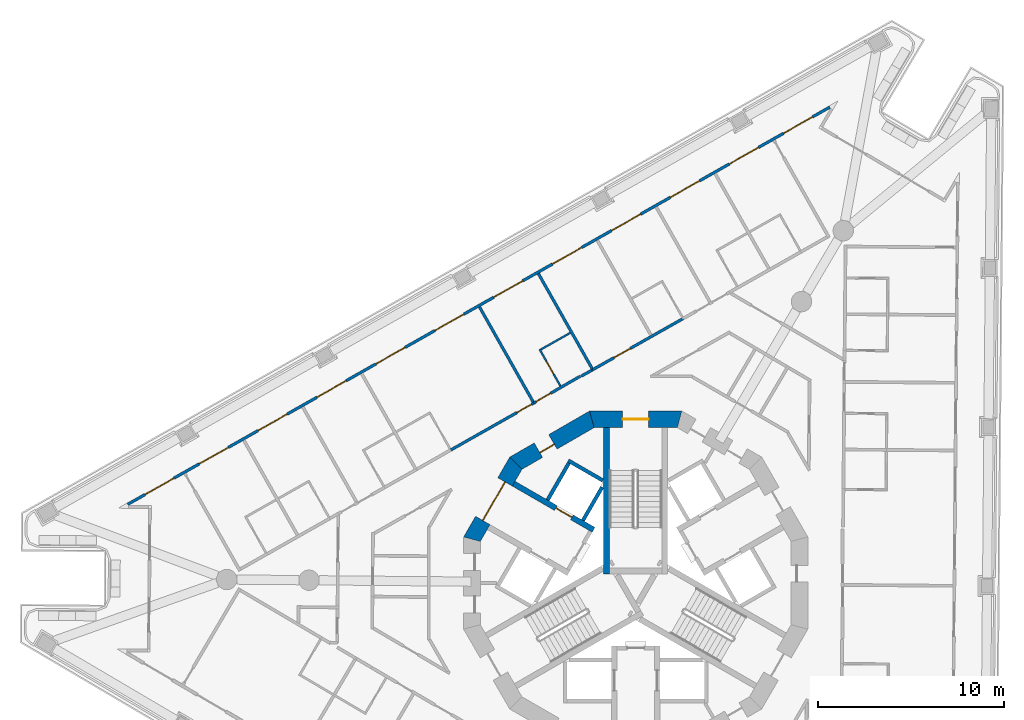
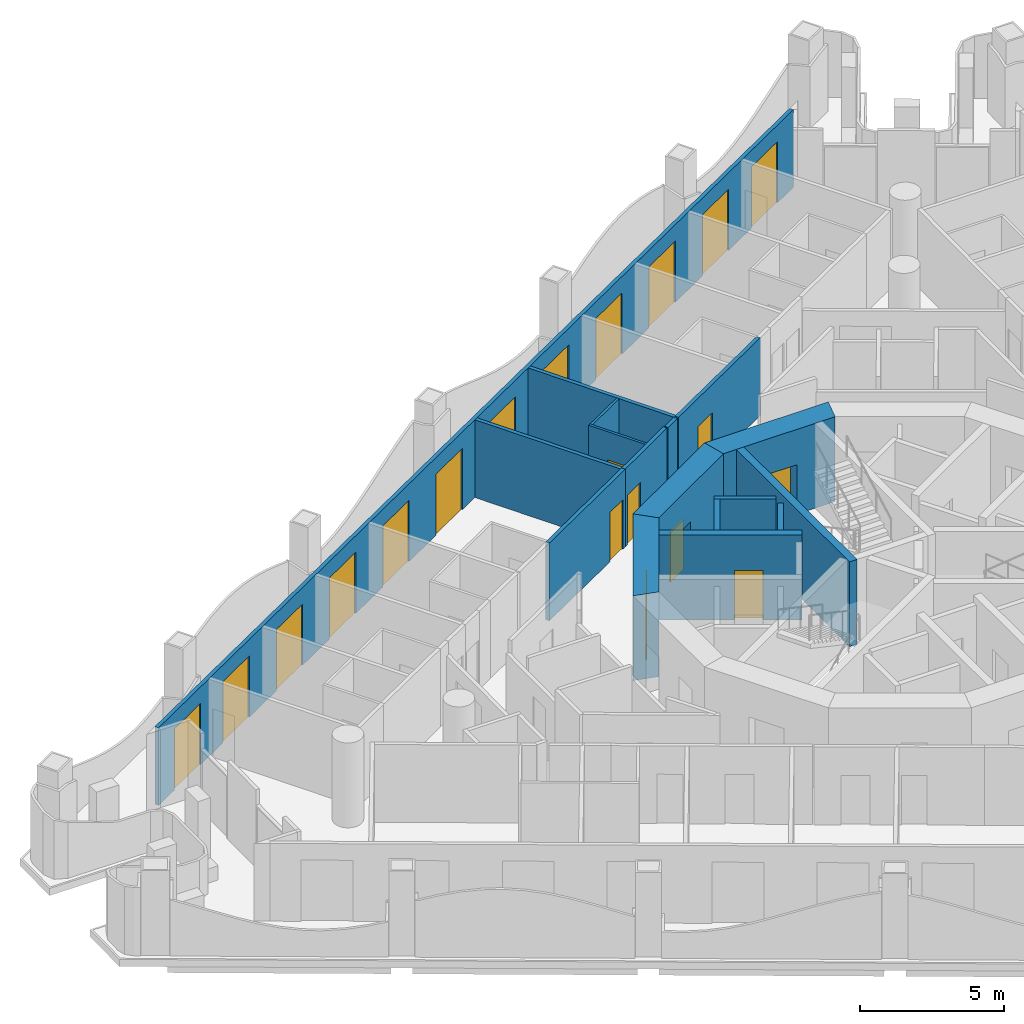
# One storey, part 8 of 18: 20 doors, 17 walls, 20 openings.
"""IFC4 building model written with IfcOpenShell, lengths in metres."""

from ifc_helpers import new_model, si_unit, direction, frame, frame_2d, origin, place, context, subcontext, project, spatial, polyline, rectangle, outline, extrude, material, layer, layer_set, type_object, element, fill, save


model = new_model("IFC4")

# Units and contexts
model_context = context("Model", 3, precision=1e-05, world=origin(), true_north=direction((0.0, 1.0)))
body_context = subcontext(model_context, "Body", "Model", "MODEL_VIEW")
ifc_project = project(units=[si_unit("LENGTHUNIT", "METRE"), si_unit("AREAUNIT", "SQUARE_METRE"), si_unit("VOLUMEUNIT", "CUBIC_METRE"), si_unit("PLANEANGLEUNIT", "RADIAN"), si_unit("MASSUNIT", "GRAM", prefix="KILO")], contexts=[model_context])

# Site, building, storey
site_placement = place(None, origin())
site = spatial("IfcSite", under=ifc_project, at=site_placement, CompositionType="ELEMENT")
building_placement = place(site_placement, origin())
building = spatial("IfcBuilding", under=site, at=building_placement, Name="Trine Commons Tower", CompositionType="ELEMENT")
storey_placement = place(building_placement, frame((0.0, 0.0, 171.89990234375)))
storey = spatial("IfcBuildingStorey", under=building, at=storey_placement, Name="L44", CompositionType="ELEMENT", Elevation=171.89990234375)

# Wall, openings, doors
ifc_material_1 = material(Name="Aluminium-framed insulated wall panel", Category="aluminium")
ifc_layer_1 = layer(ifc_material_1, 0.14990234375)
ifc_layer_set_1 = layer_set([ifc_layer_1], Name="Aluminium-framed insulated wall panel")
wall_type_1 = type_object("IfcWallType", Name="Glazed frame wall 150, EI 60", PredefinedType="SOLIDWALL", material=ifc_layer_set_1)
wall_1_placement = place(storey_placement, frame((52.497802734375, 66.67041015625, 0.0), z_axis=(0.0, 0.0, 1.0), x_axis=(0.870354973249, 0.492424837453, 0.0)))
wall_1 = element("IfcWall", 1, at=wall_1_placement, inside=storey, type_object=wall_type_1, Name="Glazed frame wall F1", PredefinedType="SOLIDWALL", context=body_context, shape_type="SweptSolid", body=[
    extrude(outline(polyline([(0.1494140625, 0.074951171875), (0.1494140625, -0.074951171875), (43.616943359375, -0.074951171875), (43.616943359375, 0.074951171875), (0.1494140625, 0.074951171875)])), origin(), (0.0, 0.0, 1.0), 3.300048828125),
])
opening_1_placement = place(wall_1_placement, frame((1.2236328125, 0.0, 0.0)))
opening_1 = element("IfcOpeningElement", 2, at=opening_1_placement, cuts=wall_1, Name="Opening BD-5F1-01", PredefinedType="OPENING", context=body_context, shape_type="SweptSolid", body=[
    extrude(rectangle(XDim=1.800048828125, YDim=2.60009765625, at=frame_2d((0.89990234375, 1.300048828125))), frame((0.0, 0.0849609375, 0.0), z_axis=(0.0, -1.0, 0.0), x_axis=(1.0, 0.0, 0.0)), (0.0, 0.0, 1.0), 0.169921875),
])
opening_2_placement = place(wall_1_placement, frame((4.57080078125, 0.0, 0.0)))
opening_2 = element("IfcOpeningElement", 3, at=opening_2_placement, cuts=wall_1, Name="Opening BD-5F1-02", PredefinedType="OPENING", context=body_context, shape_type="SweptSolid", body=[
    extrude(rectangle(XDim=1.800048828125, YDim=2.60009765625, at=frame_2d((0.89990234375, 1.300048828125))), frame((0.0, 0.0849609375, 0.0), z_axis=(0.0, -1.0, 0.0), x_axis=(1.0, 0.0, 0.0)), (0.0, 0.0, 1.0), 0.169921875),
])
opening_3_placement = place(wall_1_placement, frame((8.218017578125, 0.0, 0.0)))
opening_3 = element("IfcOpeningElement", 4, at=opening_3_placement, cuts=wall_1, Name="Opening BD-5F1-03", PredefinedType="OPENING", context=body_context, shape_type="SweptSolid", body=[
    extrude(rectangle(XDim=1.800048828125, YDim=2.60009765625, at=frame_2d((0.89990234375, 1.300048828125))), frame((0.0, 0.0849609375, 0.0), z_axis=(0.0, -1.0, 0.0), x_axis=(1.0, 0.0, 0.0)), (0.0, 0.0, 1.0), 0.169921875),
])
opening_4_placement = place(wall_1_placement, frame((11.865234375, 0.0, 0.0)))
opening_4 = element("IfcOpeningElement", 5, at=opening_4_placement, cuts=wall_1, Name="Opening BD-5F1-04", PredefinedType="OPENING", context=body_context, shape_type="SweptSolid", body=[
    extrude(rectangle(XDim=1.800048828125, YDim=2.60009765625, at=frame_2d((0.89990234375, 1.300048828125))), frame((0.0, 0.0849609375, 0.0), z_axis=(0.0, -1.0, 0.0), x_axis=(1.0, 0.0, 0.0)), (0.0, 0.0, 1.0), 0.169921875),
])
opening_5_placement = place(wall_1_placement, frame((15.512451171875, 0.0, 0.0)))
opening_5 = element("IfcOpeningElement", 6, at=opening_5_placement, cuts=wall_1, Name="Opening BD-5F1-05", PredefinedType="OPENING", context=body_context, shape_type="SweptSolid", body=[
    extrude(rectangle(XDim=1.800048828125, YDim=2.60009765625, at=frame_2d((0.89990234375, 1.300048828125))), frame((0.0, 0.0849609375, 0.0), z_axis=(0.0, -1.0, 0.0), x_axis=(1.0, 0.0, 0.0)), (0.0, 0.0, 1.0), 0.169921875),
])
opening_6_placement = place(wall_1_placement, frame((19.15966796875, 0.0, 0.0)))
opening_6 = element("IfcOpeningElement", 7, at=opening_6_placement, cuts=wall_1, Name="Opening BD-5F1-06", PredefinedType="OPENING", context=body_context, shape_type="SweptSolid", body=[
    extrude(rectangle(XDim=1.800048828125, YDim=2.60009765625, at=frame_2d((0.89990234375, 1.300048828125))), frame((0.0, 0.0849609375, 0.0), z_axis=(0.0, -1.0, 0.0), x_axis=(1.0, 0.0, 0.0)), (0.0, 0.0, 1.0), 0.169921875),
])
opening_7_placement = place(wall_1_placement, frame((22.806884765625, 0.0, 0.0)))
opening_7 = element("IfcOpeningElement", 8, at=opening_7_placement, cuts=wall_1, Name="Opening BD-5F1-07", PredefinedType="OPENING", context=body_context, shape_type="SweptSolid", body=[
    extrude(rectangle(XDim=1.800048828125, YDim=2.60009765625, at=frame_2d((0.89990234375, 1.300048828125))), frame((0.0, 0.0849609375, 0.0), z_axis=(0.0, -1.0, 0.0), x_axis=(1.0, 0.0, 0.0)), (0.0, 0.0, 1.0), 0.169921875),
])
opening_8_placement = place(wall_1_placement, frame((26.4541015625, 0.0, 0.0)))
opening_8 = element("IfcOpeningElement", 9, at=opening_8_placement, cuts=wall_1, Name="Opening BD-5F1-08", PredefinedType="OPENING", context=body_context, shape_type="SweptSolid", body=[
    extrude(rectangle(XDim=1.800048828125, YDim=2.60009765625, at=frame_2d((0.89990234375, 1.300048828125))), frame((0.0, 0.0849609375, 0.0), z_axis=(0.0, -1.0, 0.0), x_axis=(1.0, 0.0, 0.0)), (0.0, 0.0, 1.0), 0.169921875),
])
opening_9_placement = place(wall_1_placement, frame((30.101318359375, 0.0, 0.0)))
opening_9 = element("IfcOpeningElement", 10, at=opening_9_placement, cuts=wall_1, Name="Opening BD-5F1-09", PredefinedType="OPENING", context=body_context, shape_type="SweptSolid", body=[
    extrude(rectangle(XDim=1.800048828125, YDim=2.60009765625, at=frame_2d((0.89990234375, 1.300048828125))), frame((0.0, 0.0849609375, 0.0), z_axis=(0.0, -1.0, 0.0), x_axis=(1.0, 0.0, 0.0)), (0.0, 0.0, 1.0), 0.169921875),
])
opening_10_placement = place(wall_1_placement, frame((33.748291015625, 0.0, 0.0)))
opening_10 = element("IfcOpeningElement", 11, at=opening_10_placement, cuts=wall_1, Name="Opening BD-5F1-10", PredefinedType="OPENING", context=body_context, shape_type="SweptSolid", body=[
    extrude(rectangle(XDim=1.800048828125, YDim=2.60009765625, at=frame_2d((0.89990234375, 1.300048828125))), frame((0.0, 0.0849609375, 0.0), z_axis=(0.0, -1.0, 0.0), x_axis=(1.0, 0.0, 0.0)), (0.0, 0.0, 1.0), 0.169921875),
])
opening_11_placement = place(wall_1_placement, frame((37.3955078125, 0.0, 0.0)))
opening_11 = element("IfcOpeningElement", 12, at=opening_11_placement, cuts=wall_1, Name="Opening BD-5F1-11", PredefinedType="OPENING", context=body_context, shape_type="SweptSolid", body=[
    extrude(rectangle(XDim=1.800048828125, YDim=2.60009765625, at=frame_2d((0.89990234375, 1.300048828125))), frame((0.0, 0.0849609375, 0.0), z_axis=(0.0, -1.0, 0.0), x_axis=(1.0, 0.0, 0.0)), (0.0, 0.0, 1.0), 0.169921875),
])
opening_12_placement = place(wall_1_placement, frame((40.742919921875, 0.0, 0.0)))
opening_12 = element("IfcOpeningElement", 13, at=opening_12_placement, cuts=wall_1, Name="Opening BD-5F1-12", PredefinedType="OPENING", context=body_context, shape_type="SweptSolid", body=[
    extrude(rectangle(XDim=1.800048828125, YDim=2.60009765625, at=frame_2d((0.89990234375, 1.300048828125))), frame((0.0, 0.0849609375, 0.0), z_axis=(0.0, -1.0, 0.0), x_axis=(1.0, 0.0, 0.0)), (0.0, 0.0, 1.0), 0.169921875),
])
ifc_material_2 = material(Name="Anodised aluminium frame with double glazing", Category="aluminium")
door_type_1 = type_object("IfcDoorType", Name="Sliding loggia door 1800x2600", OperationType="SLIDING_TO_LEFT", PredefinedType="DOOR", material=ifc_material_2)
door_1_placement = place(opening_1_placement, origin())
door_1 = element("IfcDoor", 14, at=door_1_placement, inside=storey, type_object=door_type_1, Name="Loggia door F1 1", OperationType="SLIDING_TO_LEFT", OverallHeight=2.60009765625, OverallWidth=1.800048828125, PredefinedType="DOOR", context=body_context, shape_type="SweptSolid", body=[
    extrude(rectangle(XDim=1.800048828125, YDim=2.60009765625, at=frame_2d((0.89990234375, 1.300048828125))), frame((0.0, 0.02490234375, 0.0), z_axis=(0.0, -1.0, 0.0), x_axis=(1.0, 0.0, 0.0)), (0.0, 0.0, 1.0), 0.050048828125),
])
fill(opening_1, door_1)
door_2_placement = place(opening_2_placement, origin())
door_2 = element("IfcDoor", 15, at=door_2_placement, inside=storey, type_object=door_type_1, Name="Loggia door F1 2", OperationType="SLIDING_TO_LEFT", OverallHeight=2.60009765625, OverallWidth=1.800048828125, PredefinedType="DOOR", context=body_context, shape_type="SweptSolid", body=[
    extrude(rectangle(XDim=1.800048828125, YDim=2.60009765625, at=frame_2d((0.89990234375, 1.300048828125))), frame((0.0, 0.02490234375, 0.0), z_axis=(0.0, -1.0, 0.0), x_axis=(1.0, 0.0, 0.0)), (0.0, 0.0, 1.0), 0.050048828125),
])
fill(opening_2, door_2)
door_3_placement = place(opening_3_placement, origin())
door_3 = element("IfcDoor", 16, at=door_3_placement, inside=storey, type_object=door_type_1, Name="Loggia door F1 3", OperationType="SLIDING_TO_LEFT", OverallHeight=2.60009765625, OverallWidth=1.800048828125, PredefinedType="DOOR", context=body_context, shape_type="SweptSolid", body=[
    extrude(rectangle(XDim=1.800048828125, YDim=2.60009765625, at=frame_2d((0.89990234375, 1.300048828125))), frame((0.0, 0.02490234375, 0.0), z_axis=(0.0, -1.0, 0.0), x_axis=(1.0, 0.0, 0.0)), (0.0, 0.0, 1.0), 0.050048828125),
])
fill(opening_3, door_3)
door_4_placement = place(opening_4_placement, origin())
door_4 = element("IfcDoor", 17, at=door_4_placement, inside=storey, type_object=door_type_1, Name="Loggia door F1 4", OperationType="SLIDING_TO_LEFT", OverallHeight=2.60009765625, OverallWidth=1.800048828125, PredefinedType="DOOR", context=body_context, shape_type="SweptSolid", body=[
    extrude(rectangle(XDim=1.800048828125, YDim=2.60009765625, at=frame_2d((0.89990234375, 1.300048828125))), frame((0.0, 0.02490234375, 0.0), z_axis=(0.0, -1.0, 0.0), x_axis=(1.0, 0.0, 0.0)), (0.0, 0.0, 1.0), 0.050048828125),
])
fill(opening_4, door_4)
door_5_placement = place(opening_5_placement, origin())
door_5 = element("IfcDoor", 18, at=door_5_placement, inside=storey, type_object=door_type_1, Name="Loggia door F1 5", OperationType="SLIDING_TO_LEFT", OverallHeight=2.60009765625, OverallWidth=1.800048828125, PredefinedType="DOOR", context=body_context, shape_type="SweptSolid", body=[
    extrude(rectangle(XDim=1.800048828125, YDim=2.60009765625, at=frame_2d((0.89990234375, 1.300048828125))), frame((0.0, 0.02490234375, 0.0), z_axis=(0.0, -1.0, 0.0), x_axis=(1.0, 0.0, 0.0)), (0.0, 0.0, 1.0), 0.050048828125),
])
fill(opening_5, door_5)
door_6_placement = place(opening_6_placement, origin())
door_6 = element("IfcDoor", 19, at=door_6_placement, inside=storey, type_object=door_type_1, Name="Loggia door F1 6", OperationType="SLIDING_TO_LEFT", OverallHeight=2.60009765625, OverallWidth=1.800048828125, PredefinedType="DOOR", context=body_context, shape_type="SweptSolid", body=[
    extrude(rectangle(XDim=1.800048828125, YDim=2.60009765625, at=frame_2d((0.89990234375, 1.300048828125))), frame((0.0, 0.02490234375, 0.0), z_axis=(0.0, -1.0, 0.0), x_axis=(1.0, 0.0, 0.0)), (0.0, 0.0, 1.0), 0.050048828125),
])
fill(opening_6, door_6)
door_7_placement = place(opening_7_placement, origin())
door_7 = element("IfcDoor", 20, at=door_7_placement, inside=storey, type_object=door_type_1, Name="Loggia door F1 7", OperationType="SLIDING_TO_LEFT", OverallHeight=2.60009765625, OverallWidth=1.800048828125, PredefinedType="DOOR", context=body_context, shape_type="SweptSolid", body=[
    extrude(rectangle(XDim=1.800048828125, YDim=2.60009765625, at=frame_2d((0.89990234375, 1.300048828125))), frame((0.0, 0.02490234375, 0.0), z_axis=(0.0, -1.0, 0.0), x_axis=(1.0, 0.0, 0.0)), (0.0, 0.0, 1.0), 0.050048828125),
])
fill(opening_7, door_7)
door_8_placement = place(opening_8_placement, origin())
door_8 = element("IfcDoor", 21, at=door_8_placement, inside=storey, type_object=door_type_1, Name="Loggia door F1 8", OperationType="SLIDING_TO_LEFT", OverallHeight=2.60009765625, OverallWidth=1.800048828125, PredefinedType="DOOR", context=body_context, shape_type="SweptSolid", body=[
    extrude(rectangle(XDim=1.800048828125, YDim=2.60009765625, at=frame_2d((0.89990234375, 1.300048828125))), frame((0.0, 0.02490234375, 0.0), z_axis=(0.0, -1.0, 0.0), x_axis=(1.0, 0.0, 0.0)), (0.0, 0.0, 1.0), 0.050048828125),
])
fill(opening_8, door_8)
door_9_placement = place(opening_9_placement, origin())
door_9 = element("IfcDoor", 22, at=door_9_placement, inside=storey, type_object=door_type_1, Name="Loggia door F1 9", OperationType="SLIDING_TO_LEFT", OverallHeight=2.60009765625, OverallWidth=1.800048828125, PredefinedType="DOOR", context=body_context, shape_type="SweptSolid", body=[
    extrude(rectangle(XDim=1.800048828125, YDim=2.60009765625, at=frame_2d((0.89990234375, 1.300048828125))), frame((0.0, 0.02490234375, 0.0), z_axis=(0.0, -1.0, 0.0), x_axis=(1.0, 0.0, 0.0)), (0.0, 0.0, 1.0), 0.050048828125),
])
fill(opening_9, door_9)
door_10_placement = place(opening_10_placement, origin())
door_10 = element("IfcDoor", 23, at=door_10_placement, inside=storey, type_object=door_type_1, Name="Loggia door F1 10", OperationType="SLIDING_TO_LEFT", OverallHeight=2.60009765625, OverallWidth=1.800048828125, PredefinedType="DOOR", context=body_context, shape_type="SweptSolid", body=[
    extrude(rectangle(XDim=1.800048828125, YDim=2.60009765625, at=frame_2d((0.89990234375, 1.300048828125))), frame((0.0, 0.02490234375, 0.0), z_axis=(0.0, -1.0, 0.0), x_axis=(1.0, 0.0, 0.0)), (0.0, 0.0, 1.0), 0.050048828125),
])
fill(opening_10, door_10)
door_11_placement = place(opening_11_placement, origin())
door_11 = element("IfcDoor", 24, at=door_11_placement, inside=storey, type_object=door_type_1, Name="Loggia door F1 11", OperationType="SLIDING_TO_LEFT", OverallHeight=2.60009765625, OverallWidth=1.800048828125, PredefinedType="DOOR", context=body_context, shape_type="SweptSolid", body=[
    extrude(rectangle(XDim=1.800048828125, YDim=2.60009765625, at=frame_2d((0.89990234375, 1.300048828125))), frame((0.0, 0.02490234375, 0.0), z_axis=(0.0, -1.0, 0.0), x_axis=(1.0, 0.0, 0.0)), (0.0, 0.0, 1.0), 0.050048828125),
])
fill(opening_11, door_11)
door_12_placement = place(opening_12_placement, origin())
door_12 = element("IfcDoor", 25, at=door_12_placement, inside=storey, type_object=door_type_1, Name="Loggia door F1 12", OperationType="SLIDING_TO_LEFT", OverallHeight=2.60009765625, OverallWidth=1.800048828125, PredefinedType="DOOR", context=body_context, shape_type="SweptSolid", body=[
    extrude(rectangle(XDim=1.800048828125, YDim=2.60009765625, at=frame_2d((0.89990234375, 1.300048828125))), frame((0.0, 0.02490234375, 0.0), z_axis=(0.0, -1.0, 0.0), x_axis=(1.0, 0.0, 0.0)), (0.0, 0.0, 1.0), 0.050048828125),
])
fill(opening_12, door_12)

# Wall, opening, door
ifc_material_3 = material(Name="Concrete C60/75", Category="concrete")
ifc_layer_2 = layer(ifc_material_3, 0.300048828125)
ifc_layer_set_2 = layer_set([ifc_layer_2], Name="Concrete C60/75")
wall_type_2 = type_object("IfcWallType", Name="RC shear wall 300 mm, C60/75", PredefinedType="SHEAR", material=ifc_layer_set_2)
wall_2_placement = place(storey_placement, frame((77.73095703125, 65.368896484375, 0.0), z_axis=(0.0, 0.0, 1.0), x_axis=(-0.865983655544, 0.500072303102, 0.0)))
wall_2 = element("IfcWall", 26, at=wall_2_placement, inside=storey, type_object=wall_type_2, Name="Core cross wall SWB-02 L44", PredefinedType="SHEAR", context=body_context, shape_type="SweptSolid", body=[
    extrude(rectangle(XDim=4.973388671875, YDim=0.300048828125, at=frame_2d((2.48681640625, 0.0))), origin(), (0.0, 0.0, 1.0), 3.60009765625),
])
opening_13_placement = place(wall_2_placement, frame((1.3505859375, 0.0, 0.0)))
opening_13 = element("IfcOpeningElement", 27, at=opening_13_placement, cuts=wall_2, Name="Opening LD8", PredefinedType="OPENING", context=body_context, shape_type="SweptSolid", body=[
    extrude(rectangle(XDim=1.0, YDim=2.10009765625, at=frame_2d((0.5, 1.050048828125))), frame((0.0, 0.159912109375, 0.0), z_axis=(0.0, -1.0, 0.0), x_axis=(1.0, 0.0, 0.0)), (0.0, 0.0, 1.0), 0.320068359375),
])
ifc_material_4 = material(Name="Stainless steel sliding door leaves", Category="steel")
door_type_2 = type_object("IfcDoorType", Name="Lift landing door, centre-opening sliding 1000 x 2100, FD90", OperationType="DOUBLE_DOOR_SLIDING", PredefinedType="DOOR", material=ifc_material_4)
door_13_placement = place(opening_13_placement, origin())
door_13 = element("IfcDoor", 28, at=door_13_placement, inside=storey, type_object=door_type_2, Name="Lift landing door HR4 L44", OperationType="DOUBLE_DOOR_SLIDING", OverallHeight=2.10009765625, OverallWidth=1.0, PredefinedType="DOOR", context=body_context, shape_type="SweptSolid", body=[
    extrude(rectangle(XDim=1.0, YDim=2.10009765625, at=frame_2d((0.5, 1.050048828125))), frame((0.0, 0.02490234375, 0.0), z_axis=(0.0, -1.0, 0.0), x_axis=(1.0, 0.0, 0.0)), (0.0, 0.0, 1.0), 0.050048828125),
])
fill(opening_13, door_13)

# Wall
wall_3_placement = place(storey_placement, frame((78.425048828125, 63.0009765625, 0.0), z_axis=(0.0, 0.0, 1.0), x_axis=(0.0, 1.0, 0.0)))
element("IfcWall", 29, at=wall_3_placement, inside=storey, type_object=wall_type_2, Name="Core cross wall SWB-08 L44", PredefinedType="SHEAR", context=body_context, shape_type="SweptSolid", body=[
    extrude(rectangle(XDim=7.8720703125, YDim=0.300048828125, at=frame_2d((3.93603515625, 0.0))), origin(), (0.0, 0.0, 1.0), 3.60009765625),
])

# Wall, opening, door
ifc_layer_3 = layer(ifc_material_3, 0.89990234375)
ifc_layer_set_3 = layer_set([ifc_layer_3], Name="Concrete C60/75")
wall_type_3 = type_object("IfcWallType", Name="RC shear wall 900 mm, C60/75", PredefinedType="SHEAR", material=ifc_layer_set_3)
wall_4_placement = place(storey_placement, frame((82.484619140625, 71.322998046875, 0.0), z_axis=(0.0, 0.0, 1.0), x_axis=(-1.0, 0.0, 0.0)))
wall_4 = element("IfcWall", 30, at=wall_4_placement, inside=storey, type_object=wall_type_3, Name="Core wall CWE-04 L44", PredefinedType="SHEAR", context=body_context, shape_type="SweptSolid", body=[
    extrude(outline(polyline([(0.0, -0.449951171875), (4.969482421875, -0.449951171875), (4.728271484375, 0.449951171875), (0.2412109375, 0.449951171875), (0.0, -0.449951171875)])), origin(), (0.0, 0.0, 1.0), 3.60009765625),
])
opening_14_placement = place(wall_4_placement, frame((1.78466796875, 0.0, 0.0)))
opening_14 = element("IfcOpeningElement", 31, at=opening_14_placement, cuts=wall_4, Name="Opening K11.01", PredefinedType="OPENING", context=body_context, shape_type="SweptSolid", body=[
    extrude(rectangle(XDim=1.39990234375, YDim=2.10009765625, at=frame_2d((0.699951171875, 1.050048828125))), frame((0.0, 0.4599609375, 0.0), z_axis=(0.0, -1.0, 0.0), x_axis=(1.0, 0.0, 0.0)), (0.0, 0.0, 1.0), 0.919921875),
])
ifc_material_5 = material(Name="Steel door leaves, fire-rated", Category="steel")
door_type_3 = type_object("IfcDoorType", Name="Stair door, double leaf 1400 x 2100, FD90", OperationType="DOUBLE_DOOR_SINGLE_SWING", PredefinedType="DOOR", material=ifc_material_5)
door_14_placement = place(opening_14_placement, origin())
door_14 = element("IfcDoor", 32, at=door_14_placement, inside=storey, type_object=door_type_3, Name="Stair door to Exit stair ST1B L44", OperationType="DOUBLE_DOOR_SINGLE_SWING", OverallHeight=2.10009765625, OverallWidth=1.39990234375, PredefinedType="DOOR", context=body_context, shape_type="SweptSolid", body=[
    extrude(rectangle(XDim=1.39990234375, YDim=2.10009765625, at=frame_2d((0.699951171875, 1.050048828125))), frame((0.0, 0.02490234375, 0.0), z_axis=(0.0, -1.0, 0.0), x_axis=(1.0, 0.0, 0.0)), (0.0, 0.0, 1.0), 0.050048828125),
])
fill(opening_14, door_14)

wall_5_placement = place(storey_placement, frame((77.740234375, 71.38330078125, 0.0), z_axis=(0.0, 0.0, 1.0), x_axis=(-0.866003133579, -0.500038571144, 0.0)))
wall_5 = element("IfcWall", 33, at=wall_5_placement, inside=storey, type_object=wall_type_3, Name="Core wall CWE-05 L44", PredefinedType="SHEAR", context=body_context, shape_type="SweptSolid", body=[
    extrude(outline(polyline([(0.0, -0.449951171875), (4.96923828125, -0.449951171875), (4.72802734375, 0.449951171875), (0.2412109375, 0.449951171875), (0.0, -0.449951171875)])), origin(), (0.0, 0.0, 1.0), 3.60009765625),
])
opening_15_placement = place(wall_5_placement, frame((2.544921875, 0.0, 0.0)))
opening_15 = element("IfcOpeningElement", 34, at=opening_15_placement, cuts=wall_5, Name="Opening K11.13", PredefinedType="OPENING", context=body_context, shape_type="SweptSolid", body=[
    extrude(rectangle(XDim=0.89990234375, YDim=2.10009765625, at=frame_2d((0.449951171875, 1.050048828125))), frame((0.0, 0.4599609375, 0.0), z_axis=(0.0, -1.0, 0.0), x_axis=(1.0, 0.0, 0.0)), (0.0, 0.0, 1.0), 0.919921875),
])
ifc_material_6 = material(Name="Steel door leaf, fire-rated", Category="steel")
door_type_4 = type_object("IfcDoorType", Name="Core room door, single leaf 900 x 2100, FD30S", OperationType="SINGLE_SWING_LEFT", PredefinedType="DOOR", material=ifc_material_6)
door_15_placement = place(opening_15_placement, origin())
door_15 = element("IfcDoor", 35, at=door_15_placement, inside=storey, type_object=door_type_4, Name="Door to Print room L44", OperationType="SINGLE_SWING_RIGHT", OverallHeight=2.10009765625, OverallWidth=0.89990234375, PredefinedType="DOOR", context=body_context, shape_type="SweptSolid", body=[
    extrude(rectangle(XDim=0.89990234375, YDim=2.10009765625, at=frame_2d((0.449951171875, 1.050048828125))), frame((0.0, 0.1748046875, 0.0), z_axis=(0.0, -1.0, 0.0), x_axis=(1.0, 0.0, 0.0)), (0.0, 0.0, 1.0), 0.050048828125),
])
fill(opening_15, door_15)

wall_6_placement = place(storey_placement, frame((73.6015625, 69.063232421875, 0.0), z_axis=(0.0, 0.0, 1.0), x_axis=(-0.500038571144, -0.866003133579, 0.0)))
wall_6 = element("IfcWall", 36, at=wall_6_placement, inside=storey, type_object=wall_type_3, Name="Core wall CWE-06 L44", PredefinedType="SHEAR", context=body_context, shape_type="SweptSolid", body=[
    extrude(outline(polyline([(0.0, -0.449951171875), (4.96923828125, -0.449951171875), (4.72802734375, 0.449951171875), (0.2412109375, 0.449951171875), (0.0, -0.449951171875)])), origin(), (0.0, 0.0, 1.0), 3.60009765625),
])
opening_16_placement = place(wall_6_placement, frame((1.28466796875, 0.0, 0.0)))
opening_16 = element("IfcOpeningElement", 37, at=opening_16_placement, cuts=wall_6, Name="Opening K11.06", PredefinedType="OPENING", context=body_context, shape_type="SweptSolid", body=[
    extrude(rectangle(XDim=2.39990234375, YDim=2.10009765625, at=frame_2d((1.199951171875, 1.050048828125))), frame((0.0, 0.4599609375, 0.0), z_axis=(0.0, -1.0, 0.0), x_axis=(1.0, 0.0, 0.0)), (0.0, 0.0, 1.0), 0.919921875),
])
door_type_5 = type_object("IfcDoorType", Name="Lobby door, double leaf 2400 x 2100, FD60", OperationType="DOUBLE_DOOR_SINGLE_SWING", PredefinedType="DOOR", material=ifc_material_5)
door_16_placement = place(opening_16_placement, origin())
door_16 = element("IfcDoor", 38, at=door_16_placement, inside=storey, type_object=door_type_5, Name="Lobby door, Passenger lift lobby B L44", OperationType="DOUBLE_DOOR_SINGLE_SWING", OverallHeight=2.10009765625, OverallWidth=2.39990234375, PredefinedType="DOOR", context=body_context, shape_type="SweptSolid", body=[
    extrude(rectangle(XDim=2.39990234375, YDim=2.10009765625, at=frame_2d((1.199951171875, 1.050048828125))), frame((0.0, 0.02490234375, 0.0), z_axis=(0.0, -1.0, 0.0), x_axis=(1.0, 0.0, 0.0)), (0.0, 0.0, 1.0), 0.050048828125),
])
fill(opening_16, door_16)

# Walls
ifc_material_7 = material(Name="Fire-rated gypsum shaft wall system")
ifc_layer_4 = layer(ifc_material_7, 0.199951171875)
ifc_layer_set_4 = layer_set([ifc_layer_4], Name="Fire-rated gypsum shaft wall system")
wall_type_4 = type_object("IfcWallType", Name="Shaft wall 200 mm, EI 120", PredefinedType="PARTITIONING", material=ifc_layer_set_4)
wall_7_placement = place(storey_placement, frame((75.2509765625, 66.97412109375, 0.0), z_axis=(0.0, 0.0, 1.0), x_axis=(0.500136062276, 0.86594683394, 0.0)))
element("IfcWall", 39, at=wall_7_placement, inside=storey, type_object=wall_type_4, Name="Shaft wall L44", PredefinedType="PARTITIONING", context=body_context, shape_type="SweptSolid", body=[
    extrude(rectangle(XDim=2.299072265625, YDim=0.199951171875, at=frame_2d((1.1494140625, 0.0))), origin(), (0.0, 0.0, 1.0), 3.300048828125),
])
wall_8_placement = place(storey_placement, frame((77.156005859375, 65.8740234375, 0.0), z_axis=(0.0, 0.0, 1.0), x_axis=(0.499865770674, 0.866102887253, 0.0)))
element("IfcWall", 40, at=wall_8_placement, inside=storey, type_object=wall_type_4, Name="Shaft wall L44", PredefinedType="PARTITIONING", context=body_context, shape_type="SweptSolid", body=[
    extrude(rectangle(XDim=2.064453125, YDim=0.199951171875, at=frame_2d((1.0322265625, 0.0))), origin(), (0.0, 0.0, 1.0), 3.300048828125),
])
wall_9_placement = place(storey_placement, frame((78.22509765625, 68.028076171875, 0.0), z_axis=(0.0, 0.0, 1.0), x_axis=(-0.866130725101, 0.499817533742, 0.0)))
element("IfcWall", 41, at=wall_9_placement, inside=storey, type_object=wall_type_4, Name="Shaft wall L44", PredefinedType="PARTITIONING", context=body_context, shape_type="SweptSolid", body=[
    extrude(rectangle(XDim=2.148681640625, YDim=0.199951171875, at=frame_2d((1.07421875, 0.0))), origin(), (0.0, 0.0, 1.0), 3.300048828125),
])

# Wall, opening, door
ifc_material_8 = material(Name="Gypsum plasterboard on steel stud", Category="steel")
ifc_layer_5 = layer(ifc_material_8, 0.14990234375)
ifc_layer_set_5 = layer_set([ifc_layer_5], Name="Gypsum plasterboard on steel stud")
wall_type_5 = type_object("IfcWallType", Name="Unit and corridor wall 150 mm, EI 60", PredefinedType="PARTITIONING", material=ifc_layer_set_5)
wall_10_placement = place(storey_placement, frame((69.986572265625, 69.643310546875, 0.0), z_axis=(0.0, 0.0, 1.0), x_axis=(0.870283810916, 0.492550594819, 0.0)))
wall_10 = element("IfcWall", 42, at=wall_10_placement, inside=storey, type_object=wall_type_5, Name="Partition 048", PredefinedType="PARTITIONING", context=body_context, shape_type="SweptSolid", body=[
    extrude(rectangle(XDim=5.200927734375, YDim=0.14990234375, at=frame_2d((2.6005859375, 0.0))), origin(), (0.0, 0.0, 1.0), 3.300048828125),
])
opening_17_placement = place(wall_10_placement, frame((4.1474609375, 0.0, 0.0)))
opening_17 = element("IfcOpeningElement", 43, at=opening_17_placement, cuts=wall_10, Name="Opening D-5B09", PredefinedType="OPENING", context=body_context, shape_type="SweptSolid", body=[
    extrude(rectangle(XDim=0.89990234375, YDim=2.10009765625, at=frame_2d((0.449951171875, 1.050048828125))), frame((0.0, 0.0849609375, 0.0), z_axis=(0.0, -1.0, 0.0), x_axis=(1.0, 0.0, 0.0)), (0.0, 0.0, 1.0), 0.169921875),
])
ifc_material_9 = material(Name="Timber fire door set", Category="wood")
door_type_6 = type_object("IfcDoorType", Name="Bedroom door 900 x 2100, FD30S", OperationType="NOTDEFINED", PredefinedType="DOOR", material=ifc_material_9)
door_17_placement = place(opening_17_placement, origin())
door_17 = element("IfcDoor", 44, at=door_17_placement, inside=storey, type_object=door_type_6, Name="Door D-5B09", OperationType="SINGLE_SWING_RIGHT", OverallHeight=2.10009765625, OverallWidth=0.89990234375, PredefinedType="DOOR", context=body_context, shape_type="SweptSolid", body=[
    extrude(rectangle(XDim=0.89990234375, YDim=2.10009765625, at=frame_2d((0.449951171875, 1.050048828125))), frame((0.0, 0.02490234375, 0.0), z_axis=(0.0, -1.0, 0.0), x_axis=(1.0, 0.0, 0.0)), (0.0, 0.0, 1.0), 0.050048828125),
])
fill(opening_17, door_17)

# Wall
wall_11_placement = place(storey_placement, frame((71.580810546875, 77.381103515625, 0.0), z_axis=(0.0, 0.0, 1.0), x_axis=(0.4923790567, -0.870380873252, 0.0)))
element("IfcWall", 45, at=wall_11_placement, inside=storey, type_object=wall_type_5, Name="Partition 050", PredefinedType="PARTITIONING", context=body_context, shape_type="SweptSolid", body=[
    extrude(rectangle(XDim=5.874267578125, YDim=0.14990234375, at=frame_2d((2.93701171875, 0.0))), origin(), (0.0, 0.0, 1.0), 3.300048828125),
])

# Wall, opening, door
wall_12_placement = place(storey_placement, frame((74.507080078125, 72.201904296875, 0.0), z_axis=(0.0, 0.0, 1.0), x_axis=(0.866132196308, 0.499814984288, 0.0)))
wall_12 = element("IfcWall", 46, at=wall_12_placement, inside=storey, type_object=wall_type_5, Name="Partition 053", PredefinedType="PARTITIONING", context=body_context, shape_type="SweptSolid", body=[
    extrude(rectangle(XDim=2.89306640625, YDim=0.14990234375, at=frame_2d((1.446533203125, 0.0))), origin(), (0.0, 0.0, 1.0), 3.300048828125),
])
opening_18_placement = place(wall_12_placement, frame((0.153076171875, 0.0, 0.0)))
opening_18 = element("IfcOpeningElement", 47, at=opening_18_placement, cuts=wall_12, Name="Opening D-5B10", PredefinedType="OPENING", context=body_context, shape_type="SweptSolid", body=[
    extrude(rectangle(XDim=0.89990234375, YDim=2.10009765625, at=frame_2d((0.449951171875, 1.050048828125))), frame((0.0, 0.0849609375, 0.0), z_axis=(0.0, -1.0, 0.0), x_axis=(1.0, 0.0, 0.0)), (0.0, 0.0, 1.0), 0.169921875),
])
door_18_placement = place(opening_18_placement, origin())
door_18 = element("IfcDoor", 48, at=door_18_placement, inside=storey, type_object=door_type_6, Name="Door D-5B10", OperationType="SINGLE_SWING_LEFT", OverallHeight=2.10009765625, OverallWidth=0.89990234375, PredefinedType="DOOR", context=body_context, shape_type="SweptSolid", body=[
    extrude(rectangle(XDim=0.89990234375, YDim=2.10009765625, at=frame_2d((0.449951171875, 1.050048828125))), frame((0.0, 0.02490234375, 0.0), z_axis=(0.0, -1.0, 0.0), x_axis=(1.0, 0.0, 0.0)), (0.0, 0.0, 1.0), 0.050048828125),
])
fill(opening_18, door_18)

# Walls
wall_13_placement = place(storey_placement, frame((74.755615234375, 79.17724609375, 0.0), z_axis=(0.0, 0.0, 1.0), x_axis=(0.492372363177, -0.870384659779, 0.0)))
element("IfcWall", 49, at=wall_13_placement, inside=storey, type_object=wall_type_5, Name="Partition 054", PredefinedType="PARTITIONING", context=body_context, shape_type="SweptSolid", body=[
    extrude(rectangle(XDim=6.0244140625, YDim=0.14990234375, at=frame_2d((3.01220703125, 0.0))), origin(), (0.0, 0.0, 1.0), 3.300048828125),
])
wall_14_placement = place(storey_placement, frame((77.06396484375, 73.64794921875, 0.0), z_axis=(0.0, 0.0, 1.0), x_axis=(0.870364477798, 0.492408037898, 0.0)))
element("IfcWall", 50, at=wall_14_placement, inside=storey, type_object=wall_type_5, Name="Partition 058", PredefinedType="PARTITIONING", context=body_context, shape_type="SweptSolid", body=[
    extrude(rectangle(XDim=0.64208984375, YDim=0.14990234375, at=frame_2d((0.321044921875, 0.0))), origin(), (0.0, 0.0, 1.0), 3.300048828125),
])

# Wall, opening, door
wall_15_placement = place(storey_placement, frame((77.681884765625, 73.9970703125, 0.0), z_axis=(0.0, 0.0, 1.0), x_axis=(0.870307945002, 0.492507950055, 0.0)))
wall_15 = element("IfcWall", 51, at=wall_15_placement, inside=storey, type_object=wall_type_5, Name="Partition 062", PredefinedType="PARTITIONING", context=body_context, shape_type="SweptSolid", body=[
    extrude(rectangle(XDim=5.60400390625, YDim=0.14990234375, at=frame_2d((2.802001953125, 0.0))), origin(), (0.0, 0.0, 1.0), 3.300048828125),
])
opening_19_placement = place(wall_15_placement, frame((1.3271484375, 0.0, 0.0)))
opening_19 = element("IfcOpeningElement", 52, at=opening_19_placement, cuts=wall_15, Name="Opening D-5B11", PredefinedType="OPENING", context=body_context, shape_type="SweptSolid", body=[
    extrude(rectangle(XDim=1.0, YDim=2.10009765625, at=frame_2d((0.5, 1.050048828125))), frame((0.0, 0.0849609375, 0.0), z_axis=(0.0, -1.0, 0.0), x_axis=(1.0, 0.0, 0.0)), (0.0, 0.0, 1.0), 0.169921875),
])
ifc_material_10 = material(Name="Painted timber", Category="wood")
door_type_7 = type_object("IfcDoorType", Name="Amenity room door 1000 x 2100, NOT RATED", OperationType="NOTDEFINED", PredefinedType="DOOR", material=ifc_material_10)
door_19_placement = place(opening_19_placement, origin())
door_19 = element("IfcDoor", 53, at=door_19_placement, inside=storey, type_object=door_type_7, Name="Door D-5B11", OperationType="SINGLE_SWING_LEFT", OverallHeight=2.10009765625, OverallWidth=1.0, PredefinedType="DOOR", context=body_context, shape_type="SweptSolid", body=[
    extrude(rectangle(XDim=1.0, YDim=2.10009765625, at=frame_2d((0.5, 1.050048828125))), frame((0.0, 0.02490234375, 0.0), z_axis=(0.0, -1.0, 0.0), x_axis=(1.0, 0.0, 0.0)), (0.0, 0.0, 1.0), 0.050048828125),
])
fill(opening_19, door_19)

ifc_layer_6 = layer(ifc_material_8, 0.10009765625)
ifc_layer_set_6 = layer_set([ifc_layer_6], Name="Gypsum plasterboard on steel stud")
wall_type_6 = type_object("IfcWallType", Name="Unit partition 100 mm, no rating", PredefinedType="PARTITIONING", material=ifc_layer_set_6)
wall_16_placement = place(storey_placement, frame((74.818359375, 75.1044921875, 0.0), z_axis=(0.0, 0.0, 1.0), x_axis=(0.492553914228, -0.870281932237, 0.0)))
wall_16 = element("IfcWall", 54, at=wall_16_placement, inside=storey, type_object=wall_type_6, Name="Partition 055", PredefinedType="PARTITIONING", context=body_context, shape_type="SweptSolid", body=[
    extrude(rectangle(XDim=2.283447265625, YDim=0.10009765625, at=frame_2d((1.1416015625, 0.0))), origin(), (0.0, 0.0, 1.0), 3.300048828125),
])
opening_20_placement = place(wall_16_placement, frame((0.7666015625, 0.0, 0.0)))
opening_20 = element("IfcOpeningElement", 55, at=opening_20_placement, cuts=wall_16, Name="Opening D-5B43", PredefinedType="OPENING", context=body_context, shape_type="SweptSolid", body=[
    extrude(rectangle(XDim=0.800048828125, YDim=2.10009765625, at=frame_2d((0.39990234375, 1.050048828125))), frame((0.0, 0.06005859375, 0.0), z_axis=(0.0, -1.0, 0.0), x_axis=(1.0, 0.0, 0.0)), (0.0, 0.0, 1.0), 0.1201171875),
])
door_type_8 = type_object("IfcDoorType", Name="Internal door 800 x 2100, NOT RATED", OperationType="NOTDEFINED", PredefinedType="DOOR", material=ifc_material_10)
door_20_placement = place(opening_20_placement, frame((0.800048828125, 0.0, 0.0), z_axis=(0.0, 0.0, 1.0), x_axis=(-1.0, 0.0, 0.0)))
door_20 = element("IfcDoor", 56, at=door_20_placement, inside=storey, type_object=door_type_8, Name="Door D-5B43", OperationType="SINGLE_SWING_LEFT", OverallHeight=2.10009765625, OverallWidth=0.800048828125, PredefinedType="DOOR", context=body_context, shape_type="SweptSolid", body=[
    extrude(rectangle(XDim=0.800048828125, YDim=2.10009765625, at=frame_2d((0.39990234375, 1.050048828125))), frame((0.0, 0.02490234375, 0.0), z_axis=(0.0, -1.0, 0.0), x_axis=(1.0, 0.0, 0.0)), (0.0, 0.0, 1.0), 0.050048828125),
])
fill(opening_20, door_20)

# Wall
wall_17_placement = place(storey_placement, frame((74.886474609375, 75.085693359375, 0.0), z_axis=(0.0, 0.0, 1.0), x_axis=(0.870505543583, 0.492158611213, 0.0)))
element("IfcWall", 57, at=wall_17_placement, inside=storey, type_object=wall_type_6, Name="Partition 056", PredefinedType="PARTITIONING", context=body_context, shape_type="SweptSolid", body=[
    extrude(rectangle(XDim=1.825439453125, YDim=0.10009765625, at=frame_2d((0.91259765625, 0.0))), origin(), (0.0, 0.0, 1.0), 3.300048828125),
])

save(model, "model.ifc")
